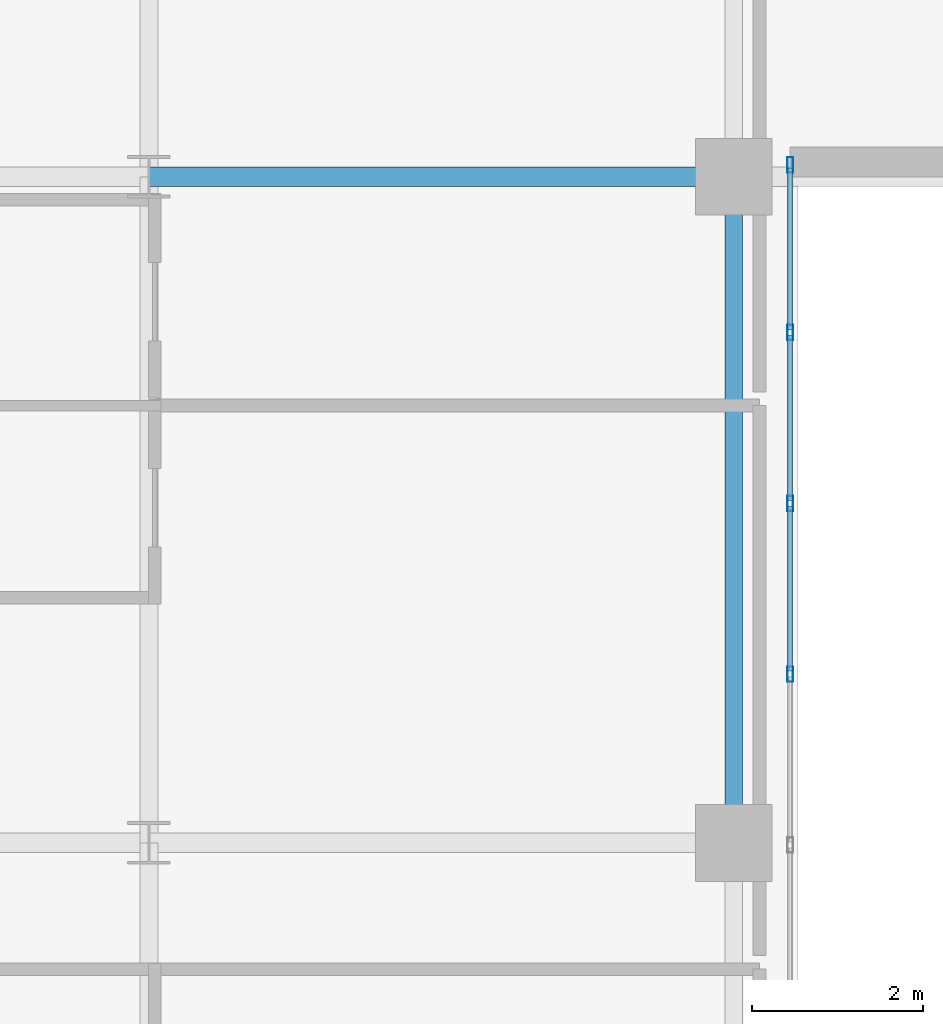
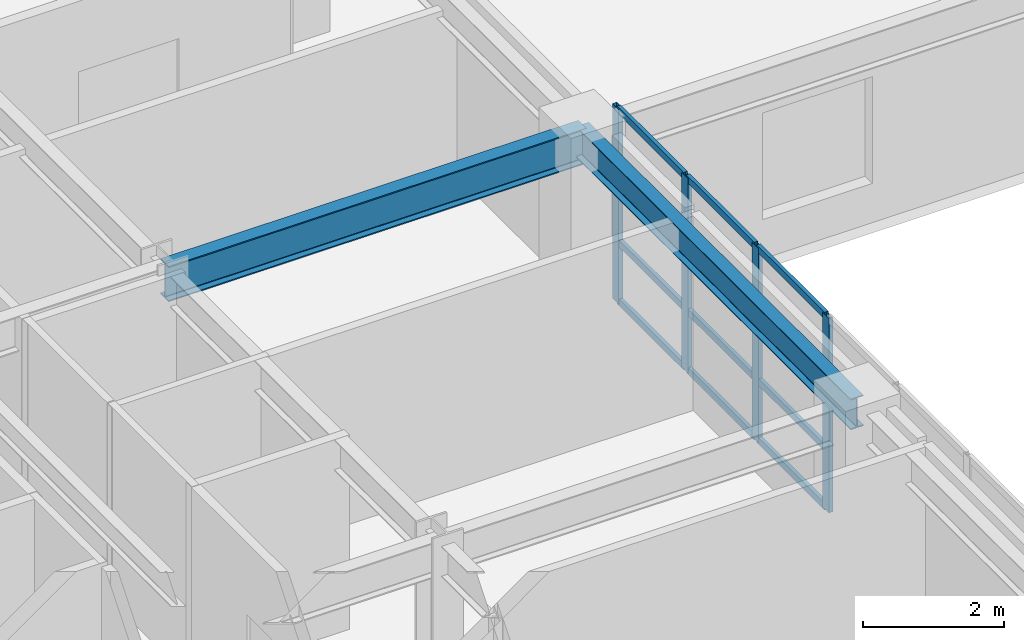
# One storey, part 3 of 17: 13 members, 2 beams, 1 element without a shape of its own.
"""IFC4 building model written with IfcOpenShell, lengths in metres."""

import ifcopenshell
import ifcopenshell.guid

model = None  # the IFC model being written
_history = None  # IfcOwnerHistory: only IFC2X3 demands one
_inside = {}  # id of a spatial element -> (the spatial element, [elements in it])
_under = {}  # id of a project, library or spatial element -> (it, [spatial elements below it])
_declared = {}  # id of a project -> (the project, [libraries it declares])
_typed = {}  # id of a type object -> (the type object, [elements of that type])
_made_of = {}  # id of a material, layer set ... -> (it, [elements and type objects made of it])


def new_model(schema):
    """Start an empty IFC model of exactly this schema.

    Asked for "IFC4X3", IfcOpenShell would pick the latest addendum, in which some entities
    have other attributes; the version numbers below select the first issue.
    IFC2X3 requires an IfcOwnerHistory on every rooted entity: one is made here for all.
    """
    global model, _history
    if schema == "IFC4X3":
        model = ifcopenshell.file(schema_version=(4, 3, 0, 0))
    else:
        model = ifcopenshell.file(schema=schema)
    _inside.clear()
    _under.clear()
    _declared.clear()
    _typed.clear()
    _made_of.clear()
    _history = None
    if model.schema == "IFC2X3":
        org = make("IfcOrganization", Name="unknown")
        user = make(
            "IfcPersonAndOrganization",
            ThePerson=make("IfcPerson", FamilyName="unknown"),
            TheOrganization=org,
        )
        app = make(
            "IfcApplication",
            ApplicationDeveloper=org,
            Version="unknown",
            ApplicationFullName="unknown",
            ApplicationIdentifier="unknown",
        )
        _history = make(
            "IfcOwnerHistory",
            OwningUser=user,
            OwningApplication=app,
            ChangeAction="ADDED",
            CreationDate=0,
        )
    return model


def make(cls, **values):
    """One entity of the class cls with the attributes given. An attribute that is None is left unset."""
    return model.create_entity(
        cls, **{name: value for name, value in values.items() if value is not None}
    )


def rooted(cls, **values):
    """An entity with a GlobalId (a new one), such as an element, a storey or a relation."""
    return make(cls, GlobalId=ifcopenshell.guid.new(), OwnerHistory=_history, **values)


def si_unit(unit_type, name, prefix=None):
    """IfcSIUnit, for example si_unit("LENGTHUNIT", "METRE", prefix="MILLI")."""
    return make("IfcSIUnit", UnitType=unit_type, Prefix=prefix, Name=name)


def assignment(units):
    """IfcUnitAssignment: the units of a project."""
    return None if units is None else make("IfcUnitAssignment", Units=units)


def point(xyz):
    """IfcCartesianPoint."""
    return None if xyz is None else make("IfcCartesianPoint", Coordinates=xyz)


def direction(xyz):
    """IfcDirection."""
    return None if xyz is None else make("IfcDirection", DirectionRatios=xyz)


def frame(location, z_axis=None, x_axis=None):
    """IfcAxis2Placement3D, a coordinate frame: its origin and axes. An axis left out is left unset."""
    return make(
        "IfcAxis2Placement3D",
        Location=point(location),
        Axis=direction(z_axis),
        RefDirection=direction(x_axis),
    )


def frame_2d(location, x_axis=None):
    """IfcAxis2Placement2D, a coordinate frame in the plane: its origin and x axis."""
    return make(
        "IfcAxis2Placement2D", Location=point(location), RefDirection=direction(x_axis)
    )


def origin():
    """The frame at (0, 0, 0) with its axes left unset."""
    return frame((0.0, 0.0, 0.0))


def origin_2d():
    """The frame at (0, 0) in the plane with its x axis left unset."""
    return frame_2d((0.0, 0.0))


def place(relative_to, where):
    """IfcLocalPlacement: puts the frame where relative to a parent placement (None: the world)."""
    return make(
        "IfcLocalPlacement", PlacementRelTo=relative_to, RelativePlacement=where
    )


def context(
    kind, dimensions, precision=None, world=None, true_north=None, identifier=None
):
    """IfcGeometricRepresentationContext, for example the 3D "Model" context."""
    return make(
        "IfcGeometricRepresentationContext",
        ContextIdentifier=identifier,
        ContextType=kind,
        CoordinateSpaceDimension=dimensions,
        Precision=precision,
        WorldCoordinateSystem=world,
        TrueNorth=true_north,
    )


def subcontext(parent, identifier, kind, view, scale=None):
    """IfcGeometricRepresentationSubContext, for example "Body" below "Model"."""
    return make(
        "IfcGeometricRepresentationSubContext",
        ContextIdentifier=identifier,
        ContextType=kind,
        ParentContext=parent,
        TargetScale=scale,
        TargetView=view,
    )


def project(units=None, contexts=None):
    """IfcProject with its units and contexts."""
    return rooted(
        "IfcProject",
        Name="project",
        RepresentationContexts=contexts,
        UnitsInContext=assignment(units),
    )


def spatial(cls, under=None, at=None, **own):
    """A site, building, storey or space (cls), placed at a placement, below another one or the project."""
    s = rooted(cls, ObjectPlacement=at, **own)
    if under is not None:
        _under.setdefault(under.id(), (under, []))[1].append(s)
    return s


def profile(cls, at=None, kind="AREA", **sizes):
    """A parametric profile (cls). Its sizes go by their IFC names, for example OverallWidth=200.0."""
    return make(cls, ProfileType=kind, Position=at, **sizes)


def hollow_rectangle(**sizes):
    """IfcRectangleHollowProfileDef."""
    return profile("IfcRectangleHollowProfileDef", **sizes)


def i_section(**sizes):
    """IfcIShapeProfileDef."""
    return profile("IfcIShapeProfileDef", **sizes)


def extrude(swept, where, along, depth):
    """IfcExtrudedAreaSolid: the profile swept, set in the frame where, extruded along a direction by depth."""
    return make(
        "IfcExtrudedAreaSolid",
        SweptArea=swept,
        Position=where,
        ExtrudedDirection=direction(along),
        Depth=depth,
    )


def shape(context_of_items, identifier, shape_type, items):
    """IfcShapeRepresentation: the items that make up one representation, for example the "Body"."""
    return make(
        "IfcShapeRepresentation",
        ContextOfItems=context_of_items,
        RepresentationIdentifier=identifier,
        RepresentationType=shape_type,
        Items=items,
    )


def source(mapping_origin, context_of_items, identifier, shape_type, items):
    """IfcRepresentationMap: a shape defined once, which mapped items show again and again."""
    return make(
        "IfcRepresentationMap",
        MappingOrigin=mapping_origin,
        MappedRepresentation=shape(context_of_items, identifier, shape_type, items),
    )


def transform(
    local_origin,
    x_axis=None,
    y_axis=None,
    z_axis=None,
    scale=None,
    scale2=None,
    scale3=None,
    uniform=True,
):
    """IfcCartesianTransformationOperator3D, or its non-uniform kind. x_axis, y_axis, z_axis: its Axis1, 2, 3."""
    if uniform:
        return make(
            "IfcCartesianTransformationOperator3D",
            Axis1=direction(x_axis),
            Axis2=direction(y_axis),
            LocalOrigin=point(local_origin),
            Scale=scale,
            Axis3=direction(z_axis),
        )
    return make(
        "IfcCartesianTransformationOperator3DnonUniform",
        Axis1=direction(x_axis),
        Axis2=direction(y_axis),
        LocalOrigin=point(local_origin),
        Scale=scale,
        Axis3=direction(z_axis),
        Scale2=scale2,
        Scale3=scale3,
    )


def mapped(mapping_source, mapping_target):
    """IfcMappedItem: shows the shape of a source again, moved by a transform."""
    return make(
        "IfcMappedItem", MappingSource=mapping_source, MappingTarget=mapping_target
    )


def material(Name=None, Category=None):
    """IfcMaterial."""
    return make("IfcMaterial", Name=Name, Category=Category)


def layer(
    of_material, thickness, ventilated=None, Name=None, Category=None, Priority=None
):
    """IfcMaterialLayer: one layer of a wall or slab, of a material (None: an air gap)."""
    return make(
        "IfcMaterialLayer",
        Material=of_material,
        LayerThickness=thickness,
        IsVentilated=ventilated,
        Name=Name,
        Category=Category,
        Priority=Priority,
    )


def layer_set(layers, Name=None):
    """IfcMaterialLayerSet."""
    return make("IfcMaterialLayerSet", MaterialLayers=layers, LayerSetName=Name)


def material_profile(
    of_material, cross_section, Name=None, Category=None, Priority=None
):
    """IfcMaterialProfile: a cross section and its material."""
    return make(
        "IfcMaterialProfile",
        Name=Name,
        Material=of_material,
        Profile=cross_section,
        Priority=Priority,
        Category=Category,
    )


def profile_set(profiles, Name=None, composite=None):
    """IfcMaterialProfileSet."""
    return make(
        "IfcMaterialProfileSet",
        Name=Name,
        MaterialProfiles=profiles,
        CompositeProfile=composite,
    )


def made_of(thing, what):
    """Note that an element or type object is made of a material, layer set ...; save() writes the relation."""
    if what is not None:
        _made_of.setdefault(what.id(), (what, []))[1].append(thing)
    return thing


def type_object(cls, material=None, **own):
    """A type object (cls), such as IfcWallType, which elements share."""
    return made_of(rooted(cls, **own), material)


def type_shapes(of_type, sources):
    """Give a type object the sources (RepresentationMaps) that its elements show as mapped items."""
    of_type.RepresentationMaps = sources


def element(
    cls,
    number,
    at=None,
    inside=None,
    cuts=None,
    type_object=None,
    material=None,
    context=None,
    identifier="Body",
    shape_type=None,
    held_by="IfcProductDefinitionShape",
    body=None,
    shapes=None,
    **own,
):
    """One element of the class cls, such as IfcWall. Its Tag is "e" and its number.

    at: its placement. inside: the storey or other place that contains it. cuts: it is an
    opening in that element (IfcRelVoidsElement). A single representation is given by context,
    identifier, shape_type and body (its items); several are given by shapes. held_by: the class
    of the entity that holds the representations. save() writes the other relations.
    """
    e = rooted(cls, Tag="e%d" % number, ObjectPlacement=at, **own)
    if body is not None:
        shapes = [shape(context, identifier, shape_type, body)]
    if shapes is not None:
        e.Representation = make(held_by, Representations=shapes)
    if inside is not None:
        _inside.setdefault(inside.id(), (inside, []))[1].append(e)
    if cuts is not None:
        rooted(
            "IfcRelVoidsElement", RelatingBuildingElement=cuts, RelatedOpeningElement=e
        )
    if type_object is not None:
        _typed.setdefault(type_object.id(), (type_object, []))[1].append(e)
    return made_of(e, material)


def aggregate(whole, parts):
    """IfcRelAggregates: a whole, such as a stair, and the parts it consists of."""
    return rooted("IfcRelAggregates", RelatingObject=whole, RelatedObjects=parts)


def save(model, path):
    """Write the relations noted so far, then the file.

    IfcRelAggregates (storeys below a building ...), IfcRelContainedInSpatialStructure (elements
    in a storey), IfcRelDefinesByType, IfcRelAssociatesMaterial and IfcRelDeclares: one each for
    every whole, place, type object, material and project.
    """
    for whole, parts in _under.values():
        aggregate(whole, parts)
    for where, things in _inside.values():
        rooted(
            "IfcRelContainedInSpatialStructure",
            RelatedElements=things,
            RelatingStructure=where,
        )
    for kind, things in _typed.values():
        rooted("IfcRelDefinesByType", RelatedObjects=things, RelatingType=kind)
    for what, things in _made_of.values():
        rooted("IfcRelAssociatesMaterial", RelatedObjects=things, RelatingMaterial=what)
    for by, libraries in _declared.values():
        rooted("IfcRelDeclares", RelatingContext=by, RelatedDefinitions=libraries)
    model.write(path)


model = new_model("IFC4")

# Units and contexts
model_context = context("Model", 3, precision=1e-05, world=origin(), true_north=direction((0.0, 1.0)))
body_context = subcontext(model_context, "Body", "Model", "MODEL_VIEW")
ifc_project = project(units=[si_unit("LENGTHUNIT", "METRE"), si_unit("AREAUNIT", "SQUARE_METRE"), si_unit("VOLUMEUNIT", "CUBIC_METRE"), si_unit("PLANEANGLEUNIT", "RADIAN"), si_unit("MASSUNIT", "GRAM", prefix="KILO")], contexts=[model_context])

# Site, building, storey
site_placement = place(None, origin())
site = spatial("IfcSite", under=ifc_project, at=site_placement, CompositionType="ELEMENT")
building_placement = place(site_placement, origin())
building = spatial("IfcBuilding", under=site, at=building_placement, Name="Tolvann Quenvar Hotel", CompositionType="ELEMENT")
storey_placement = place(building_placement, frame((0.0, 0.0, 136.39990234375)))
storey = spatial("IfcBuildingStorey", under=building, at=storey_placement, Name="L35", CompositionType="ELEMENT", Elevation=136.39990234375)

# Beams
ifc_material_1 = material(Name="Steel Grade 350", Category="steel")
ifc_material_profile_1 = material_profile(ifc_material_1, i_section(OverallWidth=0.22900390625, OverallDepth=0.612060546875, WebThickness=0.011962890625, FlangeThickness=0.01953125, FilletRadius=0.013916015625, at=origin_2d()), Name="610UB125")
ifc_profile_set_1 = profile_set([ifc_material_profile_1], Name="Steel Grade 350")
beam_type_1 = type_object("IfcBeamType", Name="BM_GIRD_610UB125", PredefinedType="BEAM", material=ifc_profile_set_1)
shared_shape_1 = source(origin(), body_context, "Body", "SweptSolid", [
    extrude(i_section(OverallWidth=0.22900390625, OverallDepth=0.612060546875, WebThickness=0.011962890625, FlangeThickness=0.01953125, FilletRadius=0.013916015625, at=origin_2d()), origin(), (0.0, 0.0, 1.0), 6.85009765625),
])
type_shapes(beam_type_1, [shared_shape_1])
beam_1_placement = place(storey_placement, frame((15.199951171875, 16.0, 3.064208984375), z_axis=(1.0, 0.0, 0.0), x_axis=(0.0, 1.0, 0.0)))
element("IfcBeam", 1, at=beam_1_placement, inside=storey, type_object=beam_type_1, Name="BM-L35-EW-4-D4-E4", PredefinedType="BEAM", context=body_context, shape_type="MappedRepresentation", body=[
    mapped(shared_shape_1, transform((0.0, 0.0, 0.0), x_axis=(1.0, 0.0, 0.0), y_axis=(0.0, 1.0, 0.0), z_axis=(0.0, 0.0, 1.0), scale=1.0)),
])
ifc_material_profile_2 = material_profile(ifc_material_1, i_section(OverallWidth=0.208984375, OverallDepth=0.532958984375, WebThickness=0.01025390625, FlangeThickness=0.015625, FilletRadius=0.013916015625, at=origin_2d()), Name="530UB92")
ifc_profile_set_2 = profile_set([ifc_material_profile_2], Name="Steel Grade 350")
beam_type_2 = type_object("IfcBeamType", Name="BM_GIRD_530UB92", PredefinedType="BEAM", material=ifc_profile_set_2)
shared_shape_2 = source(origin(), body_context, "Body", "SweptSolid", [
    extrude(i_section(OverallWidth=0.208984375, OverallDepth=0.532958984375, WebThickness=0.01025390625, FlangeThickness=0.015625, FilletRadius=0.013916015625, at=origin_2d()), origin(), (0.0, 0.0, 1.0), 7.800048828125),
])
type_shapes(beam_type_2, [shared_shape_2])
beam_2_placement = place(storey_placement, frame((22.050048828125, 8.199951171875, 3.103515625), z_axis=(0.0, 1.0, 0.0), x_axis=(-1.0, 0.0, 0.0)))
element("IfcBeam", 2, at=beam_2_placement, inside=storey, type_object=beam_type_2, Name="BM-L35-NS-E3-E4", PredefinedType="BEAM", context=body_context, shape_type="MappedRepresentation", body=[
    mapped(shared_shape_2, transform((0.0, 0.0, 0.0), x_axis=(1.0, 0.0, 0.0), y_axis=(0.0, 1.0, 0.0), z_axis=(0.0, 0.0, 1.0), scale=1.0)),
])

# Curtain wall, members
ifc_material_2 = material(Name="Thermally broken anodised architectural aluminium 6063-T6 and laminated low-E glass", Category="aluminium")
ifc_layer = layer(ifc_material_2, 0.179931640625)
ifc_layer_set = layer_set([ifc_layer], Name="Thermally broken anodised architectural aluminium 6063-T6 and laminated low-E glass")
curtain_wall_type = type_object("IfcCurtainWallType", Name="CW_SYS_SLOT_03", PredefinedType="USERDEFINED", material=ifc_layer_set)
curtain_wall_placement = place(storey_placement, origin())
curtain_wall = element("IfcCurtainWall", 3, at=curtain_wall_placement, inside=storey, type_object=curtain_wall_type, Name="Curtain Wall CW-SLOT-03 (CWR-L35-E05)", ObjectType="UNITISED CURTAIN WALL", PredefinedType="USERDEFINED")
ifc_material_3 = material(Name="Anodised architectural aluminium 6063-T6 framing", Category="aluminium")
ifc_material_profile_3 = material_profile(ifc_material_3, hollow_rectangle(XDim=0.070068359375, YDim=0.179931640625, WallThickness=0.00390625, at=origin_2d()), Name="180x70x4RHS")
ifc_profile_set_3 = profile_set([ifc_material_profile_3], Name="Anodised architectural aluminium 6063-T6 framing")
member_type_1 = type_object("IfcMemberType", Name="CW_MULL_180x70", PredefinedType="MULLION", material=ifc_profile_set_3)
shared_shape_3 = source(origin(), body_context, "Body", "SweptSolid", [
    extrude(hollow_rectangle(XDim=0.070068359375, YDim=0.179931640625, WallThickness=0.00390625, at=origin_2d()), origin(), (0.0, 0.0, 1.0), 3.3701171875),
])
type_shapes(member_type_1, [shared_shape_3])
member_1_placement = place(storey_placement, frame((22.7099609375, 10.175048828125, 0.0), z_axis=(0.0, 0.0, 1.0), x_axis=(-1.0, 0.0, 0.0)))
member_1 = element("IfcMember", 4, at=member_1_placement, type_object=member_type_1, Name="CW-SLOT-03 mullion 6", PredefinedType="MULLION", context=body_context, shape_type="MappedRepresentation", body=[
    mapped(shared_shape_3, transform((0.0, 0.0, 0.0), x_axis=(1.0, 0.0, 0.0), y_axis=(0.0, 1.0, 0.0), z_axis=(0.0, 0.0, 1.0), scale=1.0)),
])
member_2_placement = place(storey_placement, frame((22.7099609375, 12.175048828125, 0.0), z_axis=(0.0, 0.0, 1.0), x_axis=(-1.0, 0.0, 0.0)))
member_2 = element("IfcMember", 5, at=member_2_placement, type_object=member_type_1, Name="CW-SLOT-03 mullion 7", PredefinedType="MULLION", context=body_context, shape_type="MappedRepresentation", body=[
    mapped(shared_shape_3, transform((0.0, 0.0, 0.0), x_axis=(1.0, 0.0, 0.0), y_axis=(0.0, 1.0, 0.0), z_axis=(0.0, 0.0, 1.0), scale=1.0)),
])
member_3_placement = place(storey_placement, frame((22.7099609375, 14.175048828125, 0.0), z_axis=(0.0, 0.0, 1.0), x_axis=(-1.0, 0.0, 0.0)))
member_3 = element("IfcMember", 6, at=member_3_placement, type_object=member_type_1, Name="CW-SLOT-03 mullion 8", PredefinedType="MULLION", context=body_context, shape_type="MappedRepresentation", body=[
    mapped(shared_shape_3, transform((0.0, 0.0, 0.0), x_axis=(1.0, 0.0, 0.0), y_axis=(0.0, 1.0, 0.0), z_axis=(0.0, 0.0, 1.0), scale=1.0)),
])
member_4_placement = place(storey_placement, frame((22.7099609375, 16.139892578125, 0.0), z_axis=(0.0, 0.0, 1.0), x_axis=(-1.0, 0.0, 0.0)))
member_4 = element("IfcMember", 7, at=member_4_placement, type_object=member_type_1, Name="CW-SLOT-03 mullion 9", PredefinedType="MULLION", context=body_context, shape_type="MappedRepresentation", body=[
    mapped(shared_shape_3, transform((0.0, 0.0, 0.0), x_axis=(1.0, 0.0, 0.0), y_axis=(0.0, 1.0, 0.0), z_axis=(0.0, 0.0, 1.0), scale=1.0)),
])
ifc_material_profile_4 = material_profile(ifc_material_3, hollow_rectangle(XDim=0.06005859375, YDim=0.1201171875, WallThickness=0.00341796875, at=origin_2d()), Name="120x60x3.5RHS")
ifc_profile_set_4 = profile_set([ifc_material_profile_4], Name="Anodised architectural aluminium 6063-T6 framing")
member_type_2 = type_object("IfcMemberType", Name="CW_TRAN_120x60", PredefinedType="USERDEFINED", material=ifc_profile_set_4)
shared_shape_4 = source(origin(), body_context, "Body", "SweptSolid", [
    extrude(hollow_rectangle(XDim=0.06005859375, YDim=0.1201171875, WallThickness=0.00341796875, at=origin_2d()), origin(), (0.0, 0.0, 1.0), 1.929931640625),
])
member_5_placement = place(storey_placement, frame((22.7099609375, 10.2099609375, 0.030029296875), z_axis=(0.0, 1.0, 0.0), x_axis=(-1.0, 0.0, 0.0)))
member_5 = element("IfcMember", 8, at=member_5_placement, type_object=member_type_2, Name="CW-SLOT-03 transom 6.1", ObjectType="TRANSOM", PredefinedType="USERDEFINED", context=body_context, shape_type="MappedRepresentation", body=[
    mapped(shared_shape_4, transform((0.0, 0.0, 0.0), x_axis=(1.0, 0.0, 0.0), y_axis=(0.0, 1.0, 0.0), z_axis=(0.0, 0.0, 1.0), scale=1.0)),
])
member_6_placement = place(storey_placement, frame((22.7099609375, 10.2099609375, 1.050048828125), z_axis=(0.0, 1.0, 0.0), x_axis=(-1.0, 0.0, 0.0)))
member_6 = element("IfcMember", 9, at=member_6_placement, type_object=member_type_2, Name="CW-SLOT-03 transom 6.2", ObjectType="TRANSOM", PredefinedType="USERDEFINED", context=body_context, shape_type="MappedRepresentation", body=[
    mapped(shared_shape_4, transform((0.0, 0.0, 0.0), x_axis=(1.0, 0.0, 0.0), y_axis=(0.0, 1.0, 0.0), z_axis=(0.0, 0.0, 1.0), scale=1.0)),
])
member_7_placement = place(storey_placement, frame((22.7099609375, 10.2099609375, 3.340087890625), z_axis=(0.0, 1.0, 0.0), x_axis=(-1.0, 0.0, 0.0)))
member_7 = element("IfcMember", 10, at=member_7_placement, type_object=member_type_2, Name="CW-SLOT-03 transom 6.3", ObjectType="TRANSOM", PredefinedType="USERDEFINED", context=body_context, shape_type="MappedRepresentation", body=[
    mapped(shared_shape_4, transform((0.0, 0.0, 0.0), x_axis=(1.0, 0.0, 0.0), y_axis=(0.0, 1.0, 0.0), z_axis=(0.0, 0.0, 1.0), scale=1.0)),
])
member_8_placement = place(storey_placement, frame((22.7099609375, 12.2099609375, 0.030029296875), z_axis=(0.0, 1.0, 0.0), x_axis=(-1.0, 0.0, 0.0)))
member_8 = element("IfcMember", 11, at=member_8_placement, type_object=member_type_2, Name="CW-SLOT-03 transom 7.1", ObjectType="TRANSOM", PredefinedType="USERDEFINED", context=body_context, shape_type="MappedRepresentation", body=[
    mapped(shared_shape_4, transform((0.0, 0.0, 0.0), x_axis=(1.0, 0.0, 0.0), y_axis=(0.0, 1.0, 0.0), z_axis=(0.0, 0.0, 1.0), scale=1.0)),
])
member_9_placement = place(storey_placement, frame((22.7099609375, 12.2099609375, 1.050048828125), z_axis=(0.0, 1.0, 0.0), x_axis=(-1.0, 0.0, 0.0)))
member_9 = element("IfcMember", 12, at=member_9_placement, type_object=member_type_2, Name="CW-SLOT-03 transom 7.2", ObjectType="TRANSOM", PredefinedType="USERDEFINED", context=body_context, shape_type="MappedRepresentation", body=[
    mapped(shared_shape_4, transform((0.0, 0.0, 0.0), x_axis=(1.0, 0.0, 0.0), y_axis=(0.0, 1.0, 0.0), z_axis=(0.0, 0.0, 1.0), scale=1.0)),
])
member_10_placement = place(storey_placement, frame((22.7099609375, 12.2099609375, 3.340087890625), z_axis=(0.0, 1.0, 0.0), x_axis=(-1.0, 0.0, 0.0)))
member_10 = element("IfcMember", 13, at=member_10_placement, type_object=member_type_2, Name="CW-SLOT-03 transom 7.3", ObjectType="TRANSOM", PredefinedType="USERDEFINED", context=body_context, shape_type="MappedRepresentation", body=[
    mapped(shared_shape_4, transform((0.0, 0.0, 0.0), x_axis=(1.0, 0.0, 0.0), y_axis=(0.0, 1.0, 0.0), z_axis=(0.0, 0.0, 1.0), scale=1.0)),
])
shared_shape_5 = source(origin(), body_context, "Body", "SweptSolid", [
    extrude(hollow_rectangle(XDim=0.06005859375, YDim=0.1201171875, WallThickness=0.00341796875, at=origin_2d()), origin(), (0.0, 0.0, 1.0), 1.89501953125),
])
type_shapes(member_type_2, [shared_shape_4, shared_shape_5])
member_11_placement = place(storey_placement, frame((22.7099609375, 14.2099609375, 0.030029296875), z_axis=(0.0, 1.0, 0.0), x_axis=(-1.0, 0.0, 0.0)))
member_11 = element("IfcMember", 14, at=member_11_placement, type_object=member_type_2, Name="CW-SLOT-03 transom 8.1", ObjectType="TRANSOM", PredefinedType="USERDEFINED", context=body_context, shape_type="MappedRepresentation", body=[
    mapped(shared_shape_5, transform((0.0, 0.0, 0.0), x_axis=(1.0, 0.0, 0.0), y_axis=(0.0, 1.0, 0.0), z_axis=(0.0, 0.0, 1.0), scale=1.0)),
])
member_12_placement = place(storey_placement, frame((22.7099609375, 14.2099609375, 1.050048828125), z_axis=(0.0, 1.0, 0.0), x_axis=(-1.0, 0.0, 0.0)))
member_12 = element("IfcMember", 15, at=member_12_placement, type_object=member_type_2, Name="CW-SLOT-03 transom 8.2", ObjectType="TRANSOM", PredefinedType="USERDEFINED", context=body_context, shape_type="MappedRepresentation", body=[
    mapped(shared_shape_5, transform((0.0, 0.0, 0.0), x_axis=(1.0, 0.0, 0.0), y_axis=(0.0, 1.0, 0.0), z_axis=(0.0, 0.0, 1.0), scale=1.0)),
])
member_13_placement = place(storey_placement, frame((22.7099609375, 14.2099609375, 3.340087890625), z_axis=(0.0, 1.0, 0.0), x_axis=(-1.0, 0.0, 0.0)))
member_13 = element("IfcMember", 16, at=member_13_placement, type_object=member_type_2, Name="CW-SLOT-03 transom 8.3", ObjectType="TRANSOM", PredefinedType="USERDEFINED", context=body_context, shape_type="MappedRepresentation", body=[
    mapped(shared_shape_5, transform((0.0, 0.0, 0.0), x_axis=(1.0, 0.0, 0.0), y_axis=(0.0, 1.0, 0.0), z_axis=(0.0, 0.0, 1.0), scale=1.0)),
])
aggregate(curtain_wall, [member_1, member_2, member_3, member_4, member_5, member_6, member_7, member_8, member_9, member_10, member_11, member_12, member_13])

save(model, "model.ifc")
